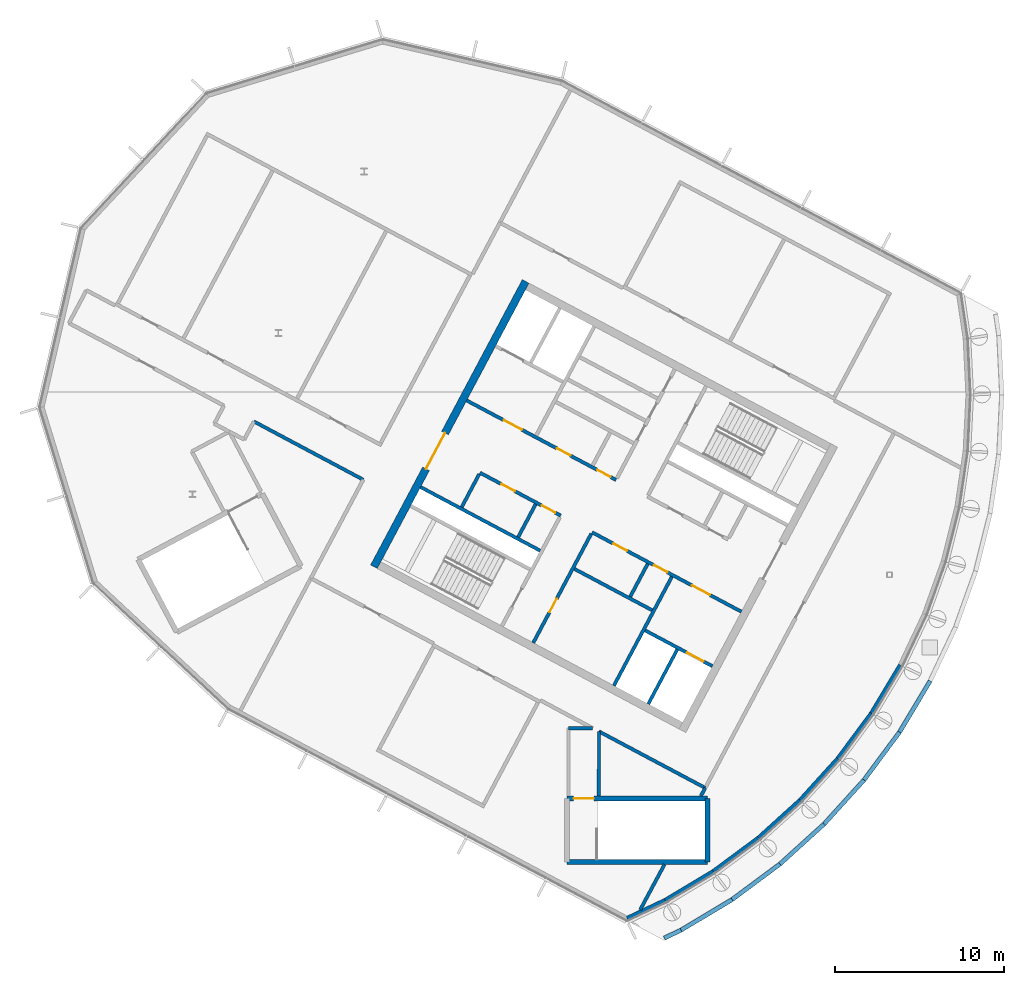
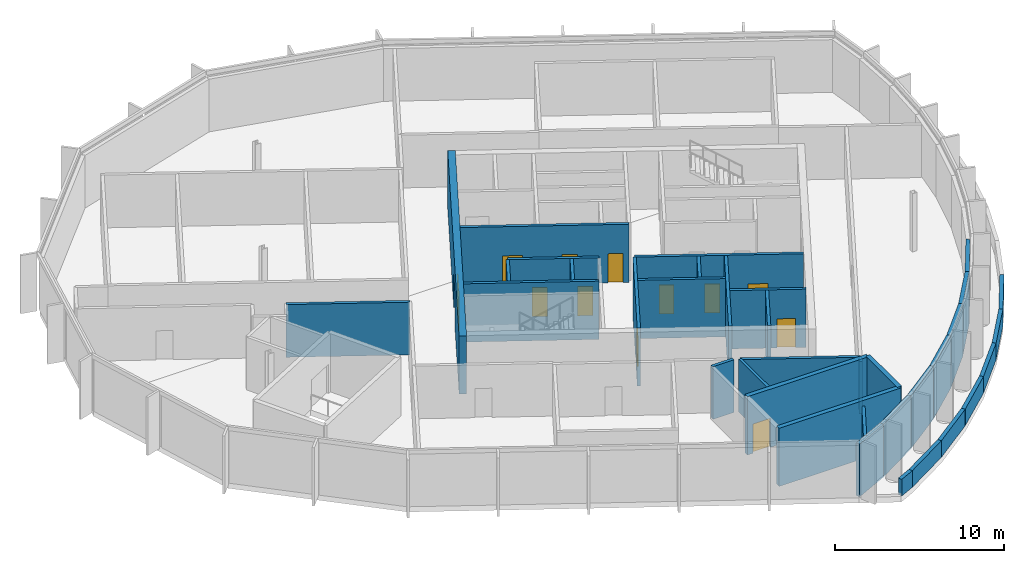
# One storey, part 6 of 13: 36 walls, 12 doors, 12 openings.
"""IFC4 building model written with IfcOpenShell, lengths in metres."""

from ifc_helpers import new_model, si_unit, direction, frame, frame_2d, origin, place, context, subcontext, project, spatial, rectangle, extrude, material, layer, layer_set, type_object, element, fill, save


model = new_model("IFC4")

# Units and contexts
model_context = context("Model", 3, precision=1e-05, world=origin(), true_north=direction((0.0, 1.0)))
body_context = subcontext(model_context, "Body", "Model", "MODEL_VIEW")
ifc_project = project(units=[si_unit("LENGTHUNIT", "METRE"), si_unit("AREAUNIT", "SQUARE_METRE"), si_unit("VOLUMEUNIT", "CUBIC_METRE"), si_unit("PLANEANGLEUNIT", "RADIAN"), si_unit("MASSUNIT", "GRAM", prefix="KILO")], contexts=[model_context])

# Site, building, storey
site_placement = place(None, origin())
site = spatial("IfcSite", under=ifc_project, at=site_placement, CompositionType="ELEMENT")
building_placement = place(site_placement, origin())
building = spatial("IfcBuilding", under=site, at=building_placement, Name="Cormorant Relay Tower", CompositionType="ELEMENT")
storey_placement = place(building_placement, frame((0.0, 0.0, 353.39990234375)))
storey = spatial("IfcBuildingStorey", under=building, at=storey_placement, Name="C7", CompositionType="ELEMENT", Elevation=353.39990234375)

# Walls
ifc_material_1 = material(Name="Concrete 40 MPa", Category="concrete")
ifc_layer_1 = layer(ifc_material_1, 0.199951171875)
ifc_layer_set_1 = layer_set([ifc_layer_1], Name="Core internal wall 200")
wall_type_1 = type_object("IfcWallType", Name="Core internal wall 200", PredefinedType="SOLIDWALL", material=ifc_layer_set_1)
wall_1_placement = place(storey_placement, frame((-24.79052734375, 11.142822265625, 0.0), z_axis=(0.0, 0.0, 1.0), x_axis=(-0.469487830541, -0.882938942948, 0.0)))
element("IfcWall", 1, at=wall_1_placement, inside=storey, type_object=wall_type_1, Name="C7 core A shaft and room wall", PredefinedType="SOLIDWALL", context=body_context, shape_type="SweptSolid", body=[
    extrude(rectangle(XDim=2.2001953125, YDim=0.199951171875, at=frame_2d((1.10009765625, 0.0))), origin(), (0.0, 0.0, 1.0), 4.2001953125),
])
wall_2_placement = place(storey_placement, frame((-31.41259765625, 14.663818359375, 0.0), z_axis=(0.0, 0.0, 1.0), x_axis=(-0.469533832133, -0.882914480843, 0.0)))
element("IfcWall", 2, at=wall_2_placement, inside=storey, type_object=wall_type_1, Name="C7 core A shaft and room wall", PredefinedType="SOLIDWALL", context=body_context, shape_type="SweptSolid", body=[
    extrude(rectangle(XDim=2.199951171875, YDim=0.199951171875, at=frame_2d((1.10009765625, 0.0))), origin(), (0.0, 0.0, 1.0), 4.2001953125),
])
ifc_material_2 = material(Name="Concrete 50 MPa", Category="concrete")
ifc_layer_2 = layer(ifc_material_2, 0.199951171875)
ifc_layer_set_2 = layer_set([ifc_layer_2], Name="Core shaft wall 200")
wall_type_2 = type_object("IfcWallType", Name="Core shaft wall 200", PredefinedType="SHEAR", material=ifc_layer_set_2)
wall_3_placement = place(storey_placement, frame((-23.04296875, 6.07958984375, 0.0), z_axis=(0.0, 0.0, 1.0), x_axis=(-0.469494272526, -0.882935517501, 0.0)))
element("IfcWall", 3, at=wall_3_placement, inside=storey, type_object=wall_type_2, Name="C7 core A shaft wall", PredefinedType="SHEAR", context=body_context, shape_type="SweptSolid", body=[
    extrude(rectangle(XDim=3.64990234375, YDim=0.199951171875, at=frame_2d((1.824951171875, 0.0))), origin(), (0.0, 0.0, 1.0), 4.2001953125),
])
wall_4_placement = place(storey_placement, frame((-23.360107421875, 10.38232421875, 0.0), z_axis=(0.0, 0.0, 1.0), x_axis=(-0.469480409012, -0.88294288918, 0.0)))
element("IfcWall", 4, at=wall_4_placement, inside=storey, type_object=wall_type_2, Name="C7 core A shaft wall", PredefinedType="SHEAR", context=body_context, shape_type="SweptSolid", body=[
    extrude(rectangle(XDim=7.300048828125, YDim=0.199951171875, at=frame_2d((3.64990234375, 0.0))), origin(), (0.0, 0.0, 1.0), 4.2001953125),
])

# Wall, opening, door
wall_5_placement = place(storey_placement, frame((-28.128173828125, 12.91748046875, 0.0), z_axis=(0.0, 0.0, 1.0), x_axis=(-0.469454336211, -0.882956752176, 0.0)))
wall_5 = element("IfcWall", 5, at=wall_5_placement, inside=storey, type_object=wall_type_2, Name="C7 core A shaft wall", PredefinedType="SHEAR", context=body_context, shape_type="SweptSolid", body=[
    extrude(rectangle(XDim=7.300048828125, YDim=0.199951171875, at=frame_2d((3.64990234375, 0.0))), origin(), (0.0, 0.0, 1.0), 4.2001953125),
])
opening_1_placement = place(wall_5_placement, frame((4.35009765625, 0.0, 0.0)))
opening_1 = element("IfcOpeningElement", 6, at=opening_1_placement, cuts=wall_5, Name="Opening CDD-394", PredefinedType="OPENING", context=body_context, shape_type="SweptSolid", body=[
    extrude(rectangle(XDim=0.89990234375, YDim=2.10009765625, at=frame_2d((0.449951171875, 1.050048828125))), frame((0.0, 0.10986328125, 0.0), z_axis=(0.0, -1.0, 0.0), x_axis=(1.0, 0.0, 0.0)), (0.0, 0.0, 1.0), 0.219970703125),
])
ifc_material_3 = material(Name="Steel fire door", Category="steel")
door_type_1 = type_object("IfcDoorType", Name="Core room door 900x2100", OperationType="SINGLE_SWING_LEFT", PredefinedType="DOOR", material=ifc_material_3)
door_1_placement = place(opening_1_placement, origin())
door_1 = element("IfcDoor", 7, at=door_1_placement, inside=storey, type_object=door_type_1, Name="Core room door 900x2100", OperationType="SINGLE_SWING_LEFT", OverallHeight=2.10009765625, OverallWidth=0.89990234375, PredefinedType="DOOR", context=body_context, shape_type="SweptSolid", body=[
    extrude(rectangle(XDim=0.89990234375, YDim=2.10009765625, at=frame_2d((0.449951171875, 1.050048828125))), frame((0.0, 0.02490234375, 0.0), z_axis=(0.0, -1.0, 0.0), x_axis=(1.0, 0.0, 0.0)), (0.0, 0.0, 1.0), 0.050048828125),
])
fill(opening_1, door_1)

# Wall
wall_6_placement = place(storey_placement, frame((-34.750244140625, 16.4384765625, 0.0), z_axis=(0.0, 0.0, 1.0), x_axis=(-0.469401318492, -0.882984938828, 0.0)))
element("IfcWall", 8, at=wall_6_placement, inside=storey, type_object=wall_type_2, Name="C7 core A shaft wall", PredefinedType="SHEAR", context=body_context, shape_type="SweptSolid", body=[
    extrude(rectangle(XDim=2.199951171875, YDim=0.199951171875, at=frame_2d((1.10009765625, 0.0))), origin(), (0.0, 0.0, 1.0), 4.2001953125),
])

# Wall, openings, doors
wall_7_placement = place(storey_placement, frame((-26.66162109375, 16.1015625, 0.0), z_axis=(0.0, 0.0, 1.0), x_axis=(-0.882940221191, 0.469485426614, 0.0)))
wall_7 = element("IfcWall", 9, at=wall_7_placement, inside=storey, type_object=wall_type_2, Name="C7 core A shaft wall", PredefinedType="SHEAR", context=body_context, shape_type="SweptSolid", body=[
    extrude(rectangle(XDim=10.0, YDim=0.199951171875, at=frame_2d((5.0, 0.0))), origin(), (0.0, 0.0, 1.0), 4.2001953125),
])
opening_2_placement = place(wall_7_placement, frame((6.300048828125, 0.0, 0.0)))
opening_2 = element("IfcOpeningElement", 10, at=opening_2_placement, cuts=wall_7, Name="Opening CDC-041", PredefinedType="OPENING", context=body_context, shape_type="SweptSolid", body=[
    extrude(rectangle(XDim=1.199951171875, YDim=2.10009765625, at=frame_2d((0.60009765625, 1.050048828125))), frame((0.0, 0.10986328125, 0.0), z_axis=(0.0, -1.0, 0.0), x_axis=(1.0, 0.0, 0.0)), (0.0, 0.0, 1.0), 0.219970703125),
])
opening_3_placement = place(wall_7_placement, frame((0.360107421875, 0.0, 0.0)))
opening_3 = element("IfcOpeningElement", 11, at=opening_3_placement, cuts=wall_7, Name="Opening CDD-375", PredefinedType="OPENING", context=body_context, shape_type="SweptSolid", body=[
    extrude(rectangle(XDim=0.89990234375, YDim=2.10009765625, at=frame_2d((0.449951171875, 1.050048828125))), frame((0.0, 0.10986328125, 0.0), z_axis=(0.0, -1.0, 0.0), x_axis=(1.0, 0.0, 0.0)), (0.0, 0.0, 1.0), 0.219970703125),
])
opening_4_placement = place(wall_7_placement, frame((3.06005859375, 0.0, 0.0)))
opening_4 = element("IfcOpeningElement", 12, at=opening_4_placement, cuts=wall_7, Name="Opening CDD-376", PredefinedType="OPENING", context=body_context, shape_type="SweptSolid", body=[
    extrude(rectangle(XDim=0.89990234375, YDim=2.10009765625, at=frame_2d((0.449951171875, 1.050048828125))), frame((0.0, 0.10986328125, 0.0), z_axis=(0.0, -1.0, 0.0), x_axis=(1.0, 0.0, 0.0)), (0.0, 0.0, 1.0), 0.219970703125),
])
ifc_material_4 = material(Name="Steel fire door", Category="steel")
door_type_2 = type_object("IfcDoorType", Name="Core lobby door 1200x2100", OperationType="SINGLE_SWING_LEFT", PredefinedType="DOOR", material=ifc_material_4)
door_2_placement = place(opening_2_placement, origin())
door_2 = element("IfcDoor", 13, at=door_2_placement, inside=storey, type_object=door_type_2, Name="Core lobby door 1200x2100", OperationType="SINGLE_SWING_LEFT", OverallHeight=2.10009765625, OverallWidth=1.199951171875, PredefinedType="DOOR", context=body_context, shape_type="SweptSolid", body=[
    extrude(rectangle(XDim=1.199951171875, YDim=2.10009765625, at=frame_2d((0.60009765625, 1.050048828125))), frame((0.0, 0.02490234375, 0.0), z_axis=(0.0, -1.0, 0.0), x_axis=(1.0, 0.0, 0.0)), (0.0, 0.0, 1.0), 0.050048828125),
])
fill(opening_2, door_2)
door_3_placement = place(opening_3_placement, frame((0.89990234375, 0.0, 0.0), z_axis=(0.0, 0.0, 1.0), x_axis=(-1.0, 0.0, 0.0)))
door_3 = element("IfcDoor", 14, at=door_3_placement, inside=storey, type_object=door_type_1, Name="Core room door 900x2100", OperationType="SINGLE_SWING_RIGHT", OverallHeight=2.10009765625, OverallWidth=0.89990234375, PredefinedType="DOOR", context=body_context, shape_type="SweptSolid", body=[
    extrude(rectangle(XDim=0.89990234375, YDim=2.10009765625, at=frame_2d((0.449951171875, 1.050048828125))), frame((0.0, 0.02490234375, 0.0), z_axis=(0.0, -1.0, 0.0), x_axis=(1.0, 0.0, 0.0)), (0.0, 0.0, 1.0), 0.050048828125),
])
fill(opening_3, door_3)
door_4_placement = place(opening_4_placement, origin())
door_4 = element("IfcDoor", 15, at=door_4_placement, inside=storey, type_object=door_type_1, Name="Core room door 900x2100", OperationType="SINGLE_SWING_LEFT", OverallHeight=2.10009765625, OverallWidth=0.89990234375, PredefinedType="DOOR", context=body_context, shape_type="SweptSolid", body=[
    extrude(rectangle(XDim=0.89990234375, YDim=2.10009765625, at=frame_2d((0.449951171875, 1.050048828125))), frame((0.0, 0.02490234375, 0.0), z_axis=(0.0, -1.0, 0.0), x_axis=(1.0, 0.0, 0.0)), (0.0, 0.0, 1.0), 0.050048828125),
])
fill(opening_4, door_4)

wall_8_placement = place(storey_placement, frame((-19.251708984375, 8.31103515625, 0.0), z_axis=(0.0, 0.0, 1.0), x_axis=(-0.882955722218, 0.469456273365, 0.0)))
wall_8 = element("IfcWall", 16, at=wall_8_placement, inside=storey, type_object=wall_type_2, Name="C7 core A shaft wall", PredefinedType="SHEAR", context=body_context, shape_type="SweptSolid", body=[
    extrude(rectangle(XDim=10.0, YDim=0.199951171875, at=frame_2d((5.0, 0.0))), origin(), (0.0, 0.0, 1.0), 4.2001953125),
])
opening_5_placement = place(wall_8_placement, frame((2.10009765625, 0.0, 0.0)))
opening_5 = element("IfcOpeningElement", 17, at=opening_5_placement, cuts=wall_8, Name="Opening CDC-040", PredefinedType="OPENING", context=body_context, shape_type="SweptSolid", body=[
    extrude(rectangle(XDim=1.199951171875, YDim=2.10009765625, at=frame_2d((0.60009765625, 1.050048828125))), frame((0.0, 0.10986328125, 0.0), z_axis=(0.0, -1.0, 0.0), x_axis=(1.0, 0.0, 0.0)), (0.0, 0.0, 1.0), 0.219970703125),
])
opening_6_placement = place(wall_8_placement, frame((4.9599609375, 0.0, 0.0)))
opening_6 = element("IfcOpeningElement", 18, at=opening_6_placement, cuts=wall_8, Name="Opening CDD-372", PredefinedType="OPENING", context=body_context, shape_type="SweptSolid", body=[
    extrude(rectangle(XDim=0.89990234375, YDim=2.10009765625, at=frame_2d((0.449951171875, 1.050048828125))), frame((0.0, 0.10986328125, 0.0), z_axis=(0.0, -1.0, 0.0), x_axis=(1.0, 0.0, 0.0)), (0.0, 0.0, 1.0), 0.219970703125),
])
opening_7_placement = place(wall_8_placement, frame((7.659912109375, 0.0, 0.0)))
opening_7 = element("IfcOpeningElement", 19, at=opening_7_placement, cuts=wall_8, Name="Opening CDD-373", PredefinedType="OPENING", context=body_context, shape_type="SweptSolid", body=[
    extrude(rectangle(XDim=0.89990234375, YDim=2.10009765625, at=frame_2d((0.449951171875, 1.050048828125))), frame((0.0, 0.10986328125, 0.0), z_axis=(0.0, -1.0, 0.0), x_axis=(1.0, 0.0, 0.0)), (0.0, 0.0, 1.0), 0.219970703125),
])
door_5_placement = place(opening_5_placement, origin())
door_5 = element("IfcDoor", 20, at=door_5_placement, inside=storey, type_object=door_type_2, Name="Core lobby door 1200x2100", OperationType="SINGLE_SWING_RIGHT", OverallHeight=2.10009765625, OverallWidth=1.199951171875, PredefinedType="DOOR", context=body_context, shape_type="SweptSolid", body=[
    extrude(rectangle(XDim=1.199951171875, YDim=2.10009765625, at=frame_2d((0.60009765625, 1.050048828125))), frame((0.0, 0.02490234375, 0.0), z_axis=(0.0, -1.0, 0.0), x_axis=(1.0, 0.0, 0.0)), (0.0, 0.0, 1.0), 0.050048828125),
])
fill(opening_5, door_5)
door_6_placement = place(opening_6_placement, origin())
door_6 = element("IfcDoor", 21, at=door_6_placement, inside=storey, type_object=door_type_1, Name="Core room door 900x2100", OperationType="SINGLE_SWING_LEFT", OverallHeight=2.10009765625, OverallWidth=0.89990234375, PredefinedType="DOOR", context=body_context, shape_type="SweptSolid", body=[
    extrude(rectangle(XDim=0.89990234375, YDim=2.10009765625, at=frame_2d((0.449951171875, 1.050048828125))), frame((0.0, 0.02490234375, 0.0), z_axis=(0.0, -1.0, 0.0), x_axis=(1.0, 0.0, 0.0)), (0.0, 0.0, 1.0), 0.050048828125),
])
fill(opening_6, door_6)
door_7_placement = place(opening_7_placement, origin())
door_7 = element("IfcDoor", 22, at=door_7_placement, inside=storey, type_object=door_type_1, Name="Core room door 900x2100", OperationType="SINGLE_SWING_LEFT", OverallHeight=2.10009765625, OverallWidth=0.89990234375, PredefinedType="DOOR", context=body_context, shape_type="SweptSolid", body=[
    extrude(rectangle(XDim=0.89990234375, YDim=2.10009765625, at=frame_2d((0.449951171875, 1.050048828125))), frame((0.0, 0.02490234375, 0.0), z_axis=(0.0, -1.0, 0.0), x_axis=(1.0, 0.0, 0.0)), (0.0, 0.0, 1.0), 0.050048828125),
])
fill(opening_7, door_7)

wall_9_placement = place(storey_placement, frame((-29.935302734375, 13.991455078125, 0.0), z_axis=(0.0, 0.0, 1.0), x_axis=(-0.882952937579, 0.469461510692, 0.0)))
wall_9 = element("IfcWall", 23, at=wall_9_placement, inside=storey, type_object=wall_type_2, Name="C7 core A shaft wall", PredefinedType="SHEAR", context=body_context, shape_type="SweptSolid", body=[
    extrude(rectangle(XDim=5.400146484375, YDim=0.199951171875, at=frame_2d((2.7001953125, 0.0))), origin(), (0.0, 0.0, 1.0), 4.2001953125),
])
opening_8_placement = place(wall_9_placement, frame((0.360107421875, 0.0, 0.0)))
opening_8 = element("IfcOpeningElement", 24, at=opening_8_placement, cuts=wall_9, Name="Opening CDD-354", PredefinedType="OPENING", context=body_context, shape_type="SweptSolid", body=[
    extrude(rectangle(XDim=0.89990234375, YDim=2.10009765625, at=frame_2d((0.449951171875, 1.050048828125))), frame((0.0, 0.10986328125, 0.0), z_axis=(0.0, -1.0, 0.0), x_axis=(1.0, 0.0, 0.0)), (0.0, 0.0, 1.0), 0.219970703125),
])
opening_9_placement = place(wall_9_placement, frame((3.06005859375, 0.0, 0.0)))
opening_9 = element("IfcOpeningElement", 25, at=opening_9_placement, cuts=wall_9, Name="Opening CDD-355", PredefinedType="OPENING", context=body_context, shape_type="SweptSolid", body=[
    extrude(rectangle(XDim=0.89990234375, YDim=2.10009765625, at=frame_2d((0.449951171875, 1.050048828125))), frame((0.0, 0.10986328125, 0.0), z_axis=(0.0, -1.0, 0.0), x_axis=(1.0, 0.0, 0.0)), (0.0, 0.0, 1.0), 0.219970703125),
])
door_8_placement = place(opening_8_placement, origin())
door_8 = element("IfcDoor", 26, at=door_8_placement, inside=storey, type_object=door_type_1, Name="Core room door 900x2100", OperationType="SINGLE_SWING_LEFT", OverallHeight=2.10009765625, OverallWidth=0.89990234375, PredefinedType="DOOR", context=body_context, shape_type="SweptSolid", body=[
    extrude(rectangle(XDim=0.89990234375, YDim=2.10009765625, at=frame_2d((0.449951171875, 1.050048828125))), frame((0.0, 0.02490234375, 0.0), z_axis=(0.0, -1.0, 0.0), x_axis=(1.0, 0.0, 0.0)), (0.0, 0.0, 1.0), 0.050048828125),
])
fill(opening_8, door_8)
door_9_placement = place(opening_9_placement, frame((0.89990234375, 0.0, 0.0), z_axis=(0.0, 0.0, 1.0), x_axis=(-1.0, 0.0, 0.0)))
door_9 = element("IfcDoor", 27, at=door_9_placement, inside=storey, type_object=door_type_1, Name="Core room door 900x2100", OperationType="SINGLE_SWING_RIGHT", OverallHeight=2.10009765625, OverallWidth=0.89990234375, PredefinedType="DOOR", context=body_context, shape_type="SweptSolid", body=[
    extrude(rectangle(XDim=0.89990234375, YDim=2.10009765625, at=frame_2d((0.449951171875, 1.050048828125))), frame((0.0, 0.02490234375, 0.0), z_axis=(0.0, -1.0, 0.0), x_axis=(1.0, 0.0, 0.0)), (0.0, 0.0, 1.0), 0.050048828125),
])
fill(opening_9, door_9)

# Walls
wall_10_placement = place(storey_placement, frame((-24.5283203125, 8.3984375, 0.0), z_axis=(0.0, 0.0, 1.0), x_axis=(-0.882953967957, 0.469459572775, 0.0)))
element("IfcWall", 28, at=wall_10_placement, inside=storey, type_object=wall_type_2, Name="C7 core A shaft wall", PredefinedType="SHEAR", context=body_context, shape_type="SweptSolid", body=[
    extrude(rectangle(XDim=5.199951171875, YDim=0.199951171875, at=frame_2d((2.60009765625, 0.0))), origin(), (0.0, 0.0, 1.0), 4.2001953125),
])
wall_11_placement = place(storey_placement, frame((-31.150390625, 11.91943359375, 0.0), z_axis=(0.0, 0.0, 1.0), x_axis=(-0.882940221191, 0.469485426614, 0.0)))
element("IfcWall", 29, at=wall_11_placement, inside=storey, type_object=wall_type_2, Name="C7 core A shaft wall", PredefinedType="SHEAR", context=body_context, shape_type="SweptSolid", body=[
    extrude(rectangle(XDim=8.0, YDim=0.199951171875, at=frame_2d((4.0, 0.0))), origin(), (0.0, 0.0, 1.0), 4.2001953125),
])

# Wall, opening, door
wall_12_placement = place(storey_placement, frame((-20.96533203125, 5.088134765625, 0.0), z_axis=(0.0, 0.0, 1.0), x_axis=(-0.882925986334, 0.469512196493, 0.0)))
wall_12 = element("IfcWall", 30, at=wall_12_placement, inside=storey, type_object=wall_type_2, Name="C7 core A shaft wall", PredefinedType="SHEAR", context=body_context, shape_type="SweptSolid", body=[
    extrude(rectangle(XDim=4.5, YDim=0.199951171875, at=frame_2d((2.25, 0.0))), origin(), (0.0, 0.0, 1.0), 4.2001953125),
])
opening_10_placement = place(wall_12_placement, frame((0.60009765625, 0.0, 0.0)))
opening_10 = element("IfcOpeningElement", 31, at=opening_10_placement, cuts=wall_12, Name="Opening LD1-069", PredefinedType="OPENING", context=body_context, shape_type="SweptSolid", body=[
    extrude(rectangle(XDim=1.10009765625, YDim=2.10009765625, at=frame_2d((0.550048828125, 1.050048828125))), frame((0.0, 0.10986328125, 0.0), z_axis=(0.0, -1.0, 0.0), x_axis=(1.0, 0.0, 0.0)), (0.0, 0.0, 1.0), 0.219970703125),
])
ifc_material_5 = material(Name="Stainless steel 316", Category="steel")
door_type_3 = type_object("IfcDoorType", Name="Lift landing door 1100x2100", OperationType="DOUBLE_DOOR_SLIDING", PredefinedType="DOOR", material=ifc_material_5)
door_10_placement = place(opening_10_placement, origin())
door_10 = element("IfcDoor", 32, at=door_10_placement, inside=storey, type_object=door_type_3, Name="FF1 landing door", OperationType="DOUBLE_DOOR_SLIDING", OverallHeight=2.10009765625, OverallWidth=1.10009765625, PredefinedType="DOOR", context=body_context, shape_type="SweptSolid", body=[
    extrude(rectangle(XDim=1.10009765625, YDim=2.10009765625, at=frame_2d((0.550048828125, 1.050048828125))), frame((0.0, 0.02490234375, 0.0), z_axis=(0.0, -1.0, 0.0), x_axis=(1.0, 0.0, 0.0)), (0.0, 0.0, 1.0), 0.050048828125),
])
fill(opening_10, door_10)

ifc_material_6 = material(Name="Concrete 50 MPa", Category="concrete")
ifc_layer_3 = layer(ifc_material_6, 0.449951171875)
ifc_layer_set_3 = layer_set([ifc_layer_3], Name="Core wall 450")
wall_type_3 = type_object("IfcWallType", Name="Core wall 450", PredefinedType="SHEAR", material=ifc_layer_set_3)
wall_13_placement = place(storey_placement, frame((-32.00439453125, 27.8330078125, 0.0), z_axis=(0.0, 0.0, 1.0), x_axis=(-0.469467968382, -0.882949504028, 0.0)))
wall_13 = element("IfcWall", 33, at=wall_13_placement, inside=storey, type_object=wall_type_3, Name="C7 core A wall", PredefinedType="SHEAR", context=body_context, shape_type="SweptSolid", body=[
    extrude(rectangle(XDim=19.099853515625, YDim=0.449951171875, at=frame_2d((9.5498046875, 0.0))), origin(), (0.0, 0.0, 1.0), 4.2001953125),
])
opening_11_placement = place(wall_13_placement, frame((10.14990234375, 0.0, 0.0)))
opening_11 = element("IfcOpeningElement", 34, at=opening_11_placement, cuts=wall_13, Name="Opening CDA-059", PredefinedType="OPENING", context=body_context, shape_type="SweptSolid", body=[
    extrude(rectangle(XDim=2.39990234375, YDim=2.39990234375, at=frame_2d((1.199951171875, 1.199951171875))), frame((0.0, 0.23486328125, 0.0), z_axis=(0.0, -1.0, 0.0), x_axis=(1.0, 0.0, 0.0)), (0.0, 0.0, 1.0), 0.469970703125),
])
ifc_material_7 = material(Name="Steel fire door", Category="steel")
door_type_4 = type_object("IfcDoorType", Name="Core lobby door 2400x2400", OperationType="DOUBLE_DOOR_SINGLE_SWING", PredefinedType="DOOR", material=ifc_material_7)
door_11_placement = place(opening_11_placement, origin())
door_11 = element("IfcDoor", 35, at=door_11_placement, inside=storey, type_object=door_type_4, Name="Core lobby door 2400x2400", OperationType="DOUBLE_DOOR_SINGLE_SWING", OverallHeight=2.39990234375, OverallWidth=2.39990234375, PredefinedType="DOOR", context=body_context, shape_type="SweptSolid", body=[
    extrude(rectangle(XDim=2.39990234375, YDim=2.39990234375, at=frame_2d((1.199951171875, 1.199951171875))), frame((0.0, 0.02490234375, 0.0), z_axis=(0.0, -1.0, 0.0), x_axis=(1.0, 0.0, 0.0)), (0.0, 0.0, 1.0), 0.050048828125),
])
fill(opening_11, door_11)

# Walls
ifc_material_8 = material(Name="Concrete 30 MPa block wall", Category="concrete")
ifc_layer_4 = layer(ifc_material_8, 0.199951171875)
ifc_layer_set_4 = layer_set([ifc_layer_4], Name="Crown plant room wall 200")
wall_type_4 = type_object("IfcWallType", Name="Crown plant room wall 200", PredefinedType="PARTITIONING", material=ifc_layer_set_4)
wall_14_placement = place(storey_placement, frame((-41.604736328125, 16.114501953125, 0.0), z_axis=(0.0, 0.0, 1.0), x_axis=(-0.88269432005, 0.469947590006, 0.0)))
element("IfcWall", 36, at=wall_14_placement, inside=storey, type_object=wall_type_4, Name="Plant room wall", PredefinedType="PARTITIONING", context=body_context, shape_type="SweptSolid", body=[
    extrude(rectangle(XDim=7.31982421875, YDim=0.199951171875, at=frame_2d((3.659912109375, 0.0))), origin(), (0.0, 0.0, 1.0), 3.7998046875),
])
wall_15_placement = place(storey_placement, frame((-21.391357421875, -2.103515625, 0.0), z_axis=(0.0, 0.0, 1.0), x_axis=(-0.882952949239, 0.469461488761, 0.0)))
element("IfcWall", 37, at=wall_15_placement, inside=storey, type_object=wall_type_4, Name="Plant room wall", PredefinedType="PARTITIONING", context=body_context, shape_type="SweptSolid", body=[
    extrude(rectangle(XDim=7.110107421875, YDim=0.199951171875, at=frame_2d((3.55517578125, 0.0))), origin(), (0.0, 0.0, 1.0), 3.7998046875),
])
wall_16_placement = place(storey_placement, frame((-27.669189453125, 1.234375, 0.0), z_axis=(0.0, 0.0, 1.0), x_axis=(-0.001538163918, -0.999998817025, 0.0)))
element("IfcWall", 38, at=wall_16_placement, inside=storey, type_object=wall_type_4, Name="Plant room wall", PredefinedType="PARTITIONING", context=body_context, shape_type="SweptSolid", body=[
    extrude(rectangle(XDim=3.809326171875, YDim=0.199951171875, at=frame_2d((1.90478515625, 0.0))), origin(), (0.0, 0.0, 1.0), 3.7998046875),
])
wall_17_placement = place(storey_placement, frame((-29.47509765625, 1.4248046875, 0.0), z_axis=(0.0, 0.0, 1.0), x_axis=(0.999999985454, 0.000170561144, 0.0)))
element("IfcWall", 39, at=wall_17_placement, inside=storey, type_object=wall_type_4, Name="Plant room wall", PredefinedType="PARTITIONING", context=body_context, shape_type="SweptSolid", body=[
    extrude(rectangle(XDim=1.431396484375, YDim=0.199951171875, at=frame_2d((0.7158203125, 0.0))), origin(), (0.0, 0.0, 1.0), 3.7998046875),
])
wall_18_placement = place(storey_placement, frame((-21.392333984375, -2.10302734375, 0.0), z_axis=(0.0, 0.0, 1.0), x_axis=(-0.469544796689, -0.882908649806, 0.0)))
element("IfcWall", 40, at=wall_18_placement, inside=storey, type_object=wall_type_4, Name="Plant room wall", PredefinedType="PARTITIONING", context=body_context, shape_type="SweptSolid", body=[
    extrude(rectangle(XDim=0.534423828125, YDim=0.199951171875, at=frame_2d((0.26708984375, 0.0))), origin(), (0.0, 0.0, 1.0), 3.7998046875),
])
wall_19_placement = place(storey_placement, frame((-23.796630859375, -6.625, 0.0), z_axis=(0.0, 0.0, 1.0), x_axis=(-0.472341722649, -0.881415507604, 0.0)))
element("IfcWall", 41, at=wall_19_placement, inside=storey, type_object=wall_type_4, Name="Plant room wall", PredefinedType="PARTITIONING", context=body_context, shape_type="SweptSolid", body=[
    extrude(rectangle(XDim=3.040771484375, YDim=0.199951171875, at=frame_2d((1.5205078125, 0.0))), origin(), (0.0, 0.0, 1.0), 3.7998046875),
])
ifc_material_9 = material(Name="Bronze cladding on Concrete 30 MPa block wall", Category="concrete")
ifc_layer_5 = layer(ifc_material_9, 0.25)
ifc_layer_set_5 = layer_set([ifc_layer_5], Name="Crown wall 250")
wall_type_5 = type_object("IfcWallType", Name="Crown wall 250", PredefinedType="STANDARD", material=ifc_layer_set_5)
wall_20_placement = place(storey_placement, frame((-9.857666015625, 5.15771484375, 0.0), z_axis=(0.0, 0.0, 1.0), x_axis=(-0.514096087054, -0.857732600101, 0.0)))
element("IfcWall", 42, at=wall_20_placement, inside=storey, type_object=wall_type_5, Name="Crown wall C7", PredefinedType="STANDARD", context=body_context, shape_type="SweptSolid", body=[
    extrude(rectangle(XDim=3.32421875, YDim=0.25, at=frame_2d((1.662109375, 0.0))), origin(), (0.0, 0.0, 1.0), 3.7998046875),
])
wall_21_placement = place(storey_placement, frame((-11.566650390625, 2.306396484375, 0.0), z_axis=(0.0, 0.0, 1.0), x_axis=(-0.595726213548, -0.803187573666, 0.0)))
element("IfcWall", 43, at=wall_21_placement, inside=storey, type_object=wall_type_5, Name="Crown wall C7", PredefinedType="STANDARD", context=body_context, shape_type="SweptSolid", body=[
    extrude(rectangle(XDim=3.324462890625, YDim=0.25, at=frame_2d((1.662109375, 0.0))), origin(), (0.0, 0.0, 1.0), 3.7998046875),
])
for number, where, z_axis, x_axis, name in (
    (44, (-13.547119140625, -0.36376953125, 0.0), (0.0, 0.0, 1.0), (-0.671553447553, -0.740956116838, 0.0), "Crown wall C7"),
    (45, (-15.779541015625, -2.826904296875, 0.0), (0.0, 0.0, 1.0), (-0.740956116838, -0.671553447553, 0.0), "Crown wall C7"),
):
    element("IfcWall", number, at=place(storey_placement, frame(where, z_axis=z_axis, x_axis=x_axis)), inside=storey, type_object=wall_type_5, Name=name, PredefinedType="STANDARD", context=body_context, shape_type="SweptSolid", body=[
        extrude(rectangle(XDim=3.32421875, YDim=0.25, at=frame_2d((1.662109375, 0.0))), origin(), (0.0, 0.0, 1.0), 3.7998046875),
    ])
wall_22_placement = place(storey_placement, frame((-18.24267578125, -5.059326171875, 0.0), z_axis=(0.0, 0.0, 1.0), x_axis=(-0.803187573666, -0.595726213548, 0.0)))
element("IfcWall", 46, at=wall_22_placement, inside=storey, type_object=wall_type_5, Name="Crown wall C7", PredefinedType="STANDARD", context=body_context, shape_type="SweptSolid", body=[
    extrude(rectangle(XDim=3.324462890625, YDim=0.25, at=frame_2d((1.662109375, 0.0))), origin(), (0.0, 0.0, 1.0), 3.7998046875),
])
wall_23_placement = place(storey_placement, frame((-20.912841796875, -7.039794921875, 0.0), z_axis=(0.0, 0.0, 1.0), x_axis=(-0.857732600101, -0.514096087054, 0.0)))
element("IfcWall", 47, at=wall_23_placement, inside=storey, type_object=wall_type_5, Name="Crown wall C7", PredefinedType="STANDARD", context=body_context, shape_type="SweptSolid", body=[
    extrude(rectangle(XDim=3.32421875, YDim=0.25, at=frame_2d((1.662109375, 0.0))), origin(), (0.0, 0.0, 1.0), 3.7998046875),
])
wall_24_placement = place(storey_placement, frame((-23.76416015625, -8.748779296875, 0.0), z_axis=(0.0, 0.0, 1.0), x_axis=(-0.903993609389, -0.427545967334, 0.0)))
element("IfcWall", 48, at=wall_24_placement, inside=storey, type_object=wall_type_5, Name="Crown wall C7", PredefinedType="STANDARD", context=body_context, shape_type="SweptSolid", body=[
    extrude(rectangle(XDim=2.486328125, YDim=0.25, at=frame_2d((1.2431640625, 0.0))), origin(), (0.0, 0.0, 1.0), 3.7998046875),
])
ifc_material_10 = material(Name="Bronze cladding on Concrete 30 MPa block wall", Category="concrete")
ifc_layer_6 = layer(ifc_material_10, 0.25)
ifc_layer_set_6 = layer_set([ifc_layer_6], Name="Parapet 250")
wall_type_6 = type_object("IfcWallType", Name="Parapet 250", PredefinedType="PARAPET", material=ifc_layer_set_6)
wall_25_placement = place(storey_placement, frame((-8.09375, 4.21484375, 0.0), z_axis=(0.0, 0.0, 1.0), x_axis=(-0.514148971409, -0.85770090078, 0.0)))
element("IfcWall", 49, at=wall_25_placement, inside=storey, type_object=wall_type_6, Name="Terrace parapet C6", PredefinedType="PARAPET", context=body_context, shape_type="SweptSolid", body=[
    extrude(rectangle(XDim=3.5205078125, YDim=0.25, at=frame_2d((1.76025390625, 0.0))), origin(), (0.0, 0.0, 1.0), 1.2001953125),
])
wall_26_placement = place(storey_placement, frame((-9.90380859375, 1.1953125, 0.0), z_axis=(0.0, 0.0, 1.0), x_axis=(-0.595675223025, -0.803225390955, 0.0)))
element("IfcWall", 50, at=wall_26_placement, inside=storey, type_object=wall_type_6, Name="Terrace parapet C6", PredefinedType="PARAPET", context=body_context, shape_type="SweptSolid", body=[
    extrude(rectangle(XDim=3.520751953125, YDim=0.25, at=frame_2d((1.76025390625, 0.0))), origin(), (0.0, 0.0, 1.0), 1.2001953125),
])
for number, where, z_axis, x_axis, name in (
    (51, (-12.0009765625, -1.632568359375, 0.0), (0.0, 0.0, 1.0), (-0.671546790858, -0.74096214997, 0.0), "Terrace parapet C6"),
    (52, (-14.365234375, -4.2412109375, 0.0), (0.0, 0.0, 1.0), (-0.74096214997, -0.671546790858, 0.0), "Terrace parapet C6"),
    (53, (-16.973876953125, -6.60546875, 0.0), (0.0, 0.0, 1.0), (-0.803200783214, -0.595708403368, 0.0), "Terrace parapet C6"),
):
    element("IfcWall", number, at=place(storey_placement, frame(where, z_axis=z_axis, x_axis=x_axis)), inside=storey, type_object=wall_type_6, Name=name, PredefinedType="PARAPET", context=body_context, shape_type="SweptSolid", body=[
        extrude(rectangle(XDim=3.5205078125, YDim=0.25, at=frame_2d((1.76025390625, 0.0))), origin(), (0.0, 0.0, 1.0), 1.2001953125),
    ])
wall_27_placement = place(storey_placement, frame((-19.801513671875, -8.70263671875, 0.0), z_axis=(0.0, 0.0, 1.0), x_axis=(-0.857719231334, -0.514118391229, 0.0)))
element("IfcWall", 54, at=wall_27_placement, inside=storey, type_object=wall_type_6, Name="Terrace parapet C6", PredefinedType="PARAPET", context=body_context, shape_type="SweptSolid", body=[
    extrude(rectangle(XDim=3.520751953125, YDim=0.25, at=frame_2d((1.76025390625, 0.0))), origin(), (0.0, 0.0, 1.0), 1.2001953125),
])
wall_28_placement = place(storey_placement, frame((-22.8212890625, -10.5126953125, 0.0), z_axis=(0.0, 0.0, 1.0), x_axis=(-0.904055054111, -0.427416025829, 0.0)))
element("IfcWall", 55, at=wall_28_placement, inside=storey, type_object=wall_type_6, Name="Terrace parapet C6", PredefinedType="PARAPET", context=body_context, shape_type="SweptSolid", body=[
    extrude(rectangle(XDim=1.09619140625, YDim=0.25, at=frame_2d((0.548095703125, 0.0))), origin(), (0.0, 0.0, 1.0), 1.2001953125),
])
ifc_material_11 = material(Name="Concrete 50 MPa", Category="concrete")
ifc_layer_7 = layer(ifc_material_11, 0.300048828125)
ifc_layer_set_7 = layer_set([ifc_layer_7], Name="Remote stair wall 300")
wall_type_7 = type_object("IfcWallType", Name="Remote stair wall 300", PredefinedType="SHEAR", material=ifc_layer_set_7)
wall_29_placement = place(storey_placement, frame((-21.25, -2.72509765625, 0.0), z_axis=(0.0, 0.0, 1.0), x_axis=(0.0, -1.0, 0.0)))
element("IfcWall", 56, at=wall_29_placement, inside=storey, type_object=wall_type_7, Name="C7 exit stair RC1 wall", PredefinedType="SHEAR", context=body_context, shape_type="SweptSolid", body=[
    extrude(rectangle(XDim=3.75, YDim=0.300048828125, at=frame_2d((1.875, 0.0))), origin(), (0.0, 0.0, 1.0), 4.2001953125),
])
wall_30_placement = place(storey_placement, frame((-21.25, -6.47509765625, 0.0), z_axis=(0.0, 0.0, 1.0), x_axis=(-1.0, 0.0, 0.0)))
element("IfcWall", 57, at=wall_30_placement, inside=storey, type_object=wall_type_7, Name="C7 exit stair RC1 wall", PredefinedType="SHEAR", context=body_context, shape_type="SweptSolid", body=[
    extrude(rectangle(XDim=8.300048828125, YDim=0.300048828125, at=frame_2d((4.14990234375, 0.0))), origin(), (0.0, 0.0, 1.0), 4.2001953125),
])

# Wall, opening, door
wall_31_placement = place(storey_placement, frame((-29.550048828125, -2.72509765625, 0.0), z_axis=(0.0, 0.0, 1.0), x_axis=(1.0, 0.0, 0.0)))
wall_31 = element("IfcWall", 58, at=wall_31_placement, inside=storey, type_object=wall_type_7, Name="C7 exit stair RC1 wall", PredefinedType="SHEAR", context=body_context, shape_type="SweptSolid", body=[
    extrude(rectangle(XDim=8.300048828125, YDim=0.300048828125, at=frame_2d((4.14990234375, 0.0))), origin(), (0.0, 0.0, 1.0), 4.2001953125),
])
opening_12_placement = place(wall_31_placement, frame((0.375, 0.0, 0.0)))
opening_12 = element("IfcOpeningElement", 59, at=opening_12_placement, cuts=wall_31, Name="Opening CDB-046", PredefinedType="OPENING", context=body_context, shape_type="SweptSolid", body=[
    extrude(rectangle(XDim=1.199951171875, YDim=2.10009765625, at=frame_2d((0.60009765625, 1.050048828125))), frame((0.0, 0.159912109375, 0.0), z_axis=(0.0, -1.0, 0.0), x_axis=(1.0, 0.0, 0.0)), (0.0, 0.0, 1.0), 0.320068359375),
])
ifc_material_12 = material(Name="Steel fire door", Category="steel")
door_type_5 = type_object("IfcDoorType", Name="Core stair door 1200x2100", OperationType="SINGLE_SWING_LEFT", PredefinedType="DOOR", material=ifc_material_12)
door_12_placement = place(opening_12_placement, frame((1.199951171875, 0.0, 0.0), z_axis=(0.0, 0.0, 1.0), x_axis=(-1.0, 0.0, 0.0)))
door_12 = element("IfcDoor", 60, at=door_12_placement, inside=storey, type_object=door_type_5, Name="Exit stair RC1 door", OperationType="SINGLE_SWING_RIGHT", OverallHeight=2.10009765625, OverallWidth=1.199951171875, PredefinedType="DOOR", context=body_context, shape_type="SweptSolid", body=[
    extrude(rectangle(XDim=1.199951171875, YDim=2.10009765625, at=frame_2d((0.60009765625, 1.050048828125))), frame((0.0, 0.02490234375, 0.0), z_axis=(0.0, -1.0, 0.0), x_axis=(1.0, 0.0, 0.0)), (0.0, 0.0, 1.0), 0.050048828125),
])
fill(opening_12, door_12)

save(model, "model.ifc")
